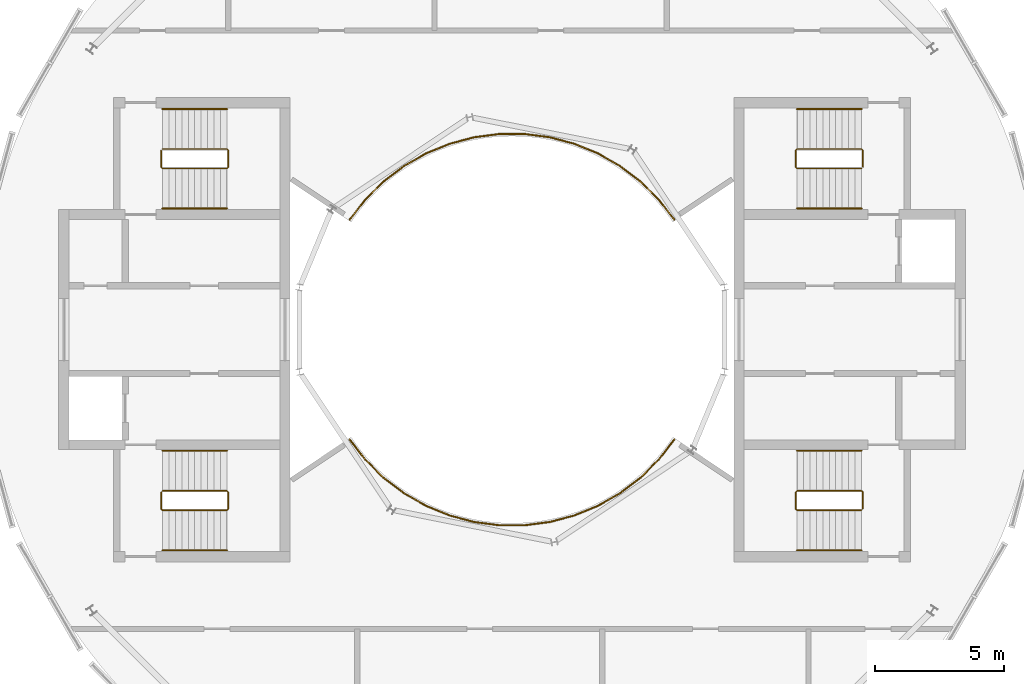
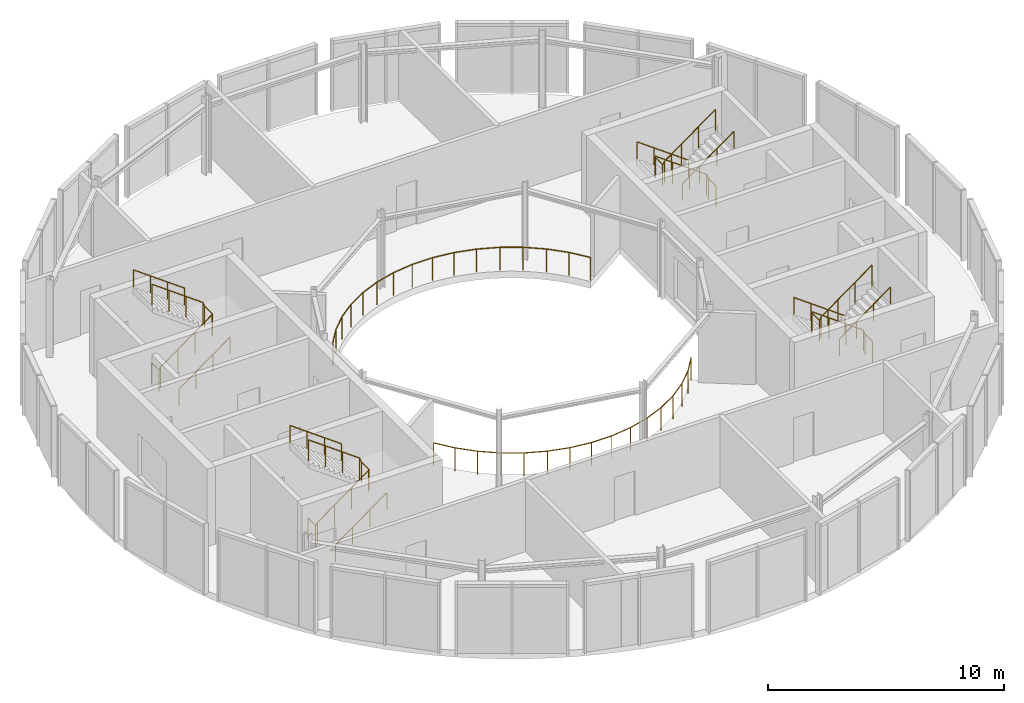
# One storey, part 12 of 12: 14 railings.
"""IFC4 building model written with IfcOpenShell, lengths in metres."""

from ifc_helpers import new_model, si_unit, direction, frame, origin, origin_2d, place, context, subcontext, project, spatial, circle, extrude, material, type_object, element, save


model = new_model("IFC4")

# Units and contexts
model_context = context("Model", 3, precision=1e-05, world=origin(), true_north=direction((0.0, 1.0)))
body_context = subcontext(model_context, "Body", "Model", "MODEL_VIEW")
ifc_project = project(units=[si_unit("LENGTHUNIT", "METRE"), si_unit("AREAUNIT", "SQUARE_METRE"), si_unit("VOLUMEUNIT", "CUBIC_METRE"), si_unit("PLANEANGLEUNIT", "RADIAN"), si_unit("MASSUNIT", "GRAM", prefix="KILO")], contexts=[model_context])

# Site, building, storey
site_placement = place(None, origin())
site = spatial("IfcSite", under=ifc_project, at=site_placement, CompositionType="ELEMENT")
building_placement = place(site_placement, origin())
building = spatial("IfcBuilding", under=site, at=building_placement, Name="Maasbend Ring Residences", CompositionType="ELEMENT")
storey_placement = place(building_placement, frame((0.0, 0.0, 265.5)))
storey = spatial("IfcBuildingStorey", under=building, at=storey_placement, Name="L76", CompositionType="ELEMENT", Elevation=265.5)

# Railings
ifc_material_1 = material(Name="Stainless steel 316 and glass", Category="steel")
railing_type_1 = type_object("IfcRailingType", Name="RL-GUARD", PredefinedType="GUARDRAIL", material=ifc_material_1)
railing_1_placement = place(storey_placement, frame((6.296875, 4.25537109375, 0.0)))
element("IfcRailing", 1, at=railing_1_placement, inside=storey, type_object=railing_type_1, Name="Well guard 1", PredefinedType="GUARDRAIL", context=body_context, shape_type="SweptSolid", body=[
    extrude(circle(Radius=0.02490234375, at=origin_2d()), frame((0.0, 0.0, 1.1748046875), z_axis=(-0.61260637429, 0.790388151593, 0.0), x_axis=(-0.790388151593, -0.61260637429, 0.0)), (0.0, 0.0, 1.0), 0.98876953125),
    extrude(circle(Radius=0.02490234375, at=origin_2d()), frame((-0.605712890625, 0.781494140625, 1.1748046875), z_axis=(-0.710063286319, 0.704137862511, 0.0), x_axis=(-0.704137862511, -0.710063286319, 0.0)), (0.0, 0.0, 1.0), 0.98876953125),
    extrude(circle(Radius=0.02490234375, at=origin_2d()), frame((-1.307861328125, 1.477783203125, 1.1748046875), z_axis=(-0.795414718638, 0.606065528944, 0.0), x_axis=(-0.606065528944, -0.795414718638, 0.0)), (0.0, 0.0, 1.0), 0.989013671875),
    extrude(circle(Radius=0.02490234375, at=origin_2d()), frame((-2.094482421875, 2.0771484375, 1.1748046875), z_axis=(-0.867436652983, 0.497547638987, 0.0), x_axis=(-0.497547638987, -0.867436652983, 0.0)), (0.0, 0.0, 1.0), 0.98876953125),
    extrude(circle(Radius=0.02490234375, at=origin_2d()), frame((-2.9521484375, 2.569091796875, 1.1748046875), z_axis=(-0.924683211941, 0.380737386599, 0.0), x_axis=(-0.380737386599, -0.924683211941, 0.0)), (0.0, 0.0, 1.0), 0.98876953125),
    extrude(circle(Radius=0.02490234375, at=origin_2d()), frame((-3.866455078125, 2.945556640625, 1.1748046875), z_axis=(-0.966279997956, 0.257493622348, 0.0), x_axis=(-0.257493622348, -0.966279997956, 0.0)), (0.0, 0.0, 1.0), 0.989013671875),
    extrude(circle(Radius=0.02490234375, at=origin_2d()), frame((-4.822021484375, 3.2001953125, 1.1748046875), z_axis=(-0.991531433773, 0.129866915878, 0.0), x_axis=(-0.129866915878, -0.991531433773, 0.0)), (0.0, 0.0, 1.0), 0.98876953125),
    extrude(circle(Radius=0.02490234375, at=origin_2d()), frame((-5.802490234375, 3.32861328125, 1.1748046875), z_axis=(-1.0, 0.0, 0.0), x_axis=(0.0, -1.0, 0.0)), (0.0, 0.0, 1.0), 0.98876953125),
    extrude(circle(Radius=0.02490234375, at=origin_2d()), frame((-6.791259765625, 3.32861328125, 1.1748046875), z_axis=(-0.991531433773, -0.129866915878, 0.0), x_axis=(0.129866915878, -0.991531433773, 0.0)), (0.0, 0.0, 1.0), 0.98876953125),
    extrude(circle(Radius=0.02490234375, at=origin_2d()), frame((-7.771728515625, 3.2001953125, 1.1748046875), z_axis=(-0.966279997956, -0.257493622348, 0.0), x_axis=(0.257493622348, -0.966279997956, 0.0)), (0.0, 0.0, 1.0), 0.989013671875),
    extrude(circle(Radius=0.02490234375, at=origin_2d()), frame((-8.727294921875, 2.945556640625, 1.1748046875), z_axis=(-0.924683211941, -0.380737386599, 0.0), x_axis=(0.380737386599, -0.924683211941, 0.0)), (0.0, 0.0, 1.0), 0.98876953125),
    extrude(circle(Radius=0.02490234375, at=origin_2d()), frame((-9.6416015625, 2.569091796875, 1.1748046875), z_axis=(-0.867436652983, -0.497547638987, 0.0), x_axis=(0.497547638987, -0.867436652983, 0.0)), (0.0, 0.0, 1.0), 0.98876953125),
    extrude(circle(Radius=0.02490234375, at=origin_2d()), frame((-10.499267578125, 2.0771484375, 1.1748046875), z_axis=(-0.795414718638, -0.606065528944, 0.0), x_axis=(0.606065528944, -0.795414718638, 0.0)), (0.0, 0.0, 1.0), 0.989013671875),
    extrude(circle(Radius=0.02490234375, at=origin_2d()), frame((-11.285888671875, 1.477783203125, 1.1748046875), z_axis=(-0.710063286319, -0.704137862511, 0.0), x_axis=(0.704137862511, -0.710063286319, 0.0)), (0.0, 0.0, 1.0), 0.98876953125),
    extrude(circle(Radius=0.02490234375, at=origin_2d()), frame((-11.988037109375, 0.781494140625, 1.1748046875), z_axis=(-0.61260637429, -0.790388151593, 0.0), x_axis=(0.790388151593, -0.61260637429, 0.0)), (0.0, 0.0, 1.0), 0.98876953125),
    extrude(circle(Radius=0.02001953125, at=origin_2d()), origin(), (0.0, 0.0, 1.0), 1.14990234375),
    extrude(circle(Radius=0.02001953125, at=origin_2d()), frame((-0.605712890625, 0.781494140625, 0.0)), (0.0, 0.0, 1.0), 1.14990234375),
    extrude(circle(Radius=0.02001953125, at=origin_2d()), frame((-1.307861328125, 1.477783203125, 0.0)), (0.0, 0.0, 1.0), 1.14990234375),
    extrude(circle(Radius=0.02001953125, at=origin_2d()), frame((-2.094482421875, 2.0771484375, 0.0)), (0.0, 0.0, 1.0), 1.14990234375),
    extrude(circle(Radius=0.02001953125, at=origin_2d()), frame((-2.9521484375, 2.569091796875, 0.0)), (0.0, 0.0, 1.0), 1.14990234375),
    extrude(circle(Radius=0.02001953125, at=origin_2d()), frame((-3.866455078125, 2.945556640625, 0.0)), (0.0, 0.0, 1.0), 1.14990234375),
    extrude(circle(Radius=0.02001953125, at=origin_2d()), frame((-4.822021484375, 3.2001953125, 0.0)), (0.0, 0.0, 1.0), 1.14990234375),
    extrude(circle(Radius=0.02001953125, at=origin_2d()), frame((-5.802490234375, 3.32861328125, 0.0)), (0.0, 0.0, 1.0), 1.14990234375),
    extrude(circle(Radius=0.02001953125, at=origin_2d()), frame((-6.791259765625, 3.32861328125, 0.0)), (0.0, 0.0, 1.0), 1.14990234375),
    extrude(circle(Radius=0.02001953125, at=origin_2d()), frame((-7.771728515625, 3.2001953125, 0.0)), (0.0, 0.0, 1.0), 1.14990234375),
    extrude(circle(Radius=0.02001953125, at=origin_2d()), frame((-8.727294921875, 2.945556640625, 0.0)), (0.0, 0.0, 1.0), 1.14990234375),
    extrude(circle(Radius=0.02001953125, at=origin_2d()), frame((-9.6416015625, 2.569091796875, 0.0)), (0.0, 0.0, 1.0), 1.14990234375),
    extrude(circle(Radius=0.02001953125, at=origin_2d()), frame((-10.499267578125, 2.0771484375, 0.0)), (0.0, 0.0, 1.0), 1.14990234375),
    extrude(circle(Radius=0.02001953125, at=origin_2d()), frame((-11.285888671875, 1.477783203125, 0.0)), (0.0, 0.0, 1.0), 1.14990234375),
    extrude(circle(Radius=0.02001953125, at=origin_2d()), frame((-11.988037109375, 0.781494140625, 0.0)), (0.0, 0.0, 1.0), 1.14990234375),
    extrude(circle(Radius=0.02001953125, at=origin_2d()), frame((-12.59375, 0.0, 0.0)), (0.0, 0.0, 1.0), 1.14990234375),
])
railing_2_placement = place(storey_placement, frame((-6.296875, -4.25537109375, 0.0)))
element("IfcRailing", 2, at=railing_2_placement, inside=storey, type_object=railing_type_1, Name="Well guard 2", PredefinedType="GUARDRAIL", context=body_context, shape_type="SweptSolid", body=[
    extrude(circle(Radius=0.02490234375, at=origin_2d()), frame((0.0, 0.0, 1.1748046875), z_axis=(0.61260637429, -0.790388151593, 0.0), x_axis=(0.790388151593, 0.61260637429, 0.0)), (0.0, 0.0, 1.0), 0.98876953125),
    extrude(circle(Radius=0.02490234375, at=origin_2d()), frame((0.605712890625, -0.781494140625, 1.1748046875), z_axis=(0.710063286319, -0.704137862511, 0.0), x_axis=(0.704137862511, 0.710063286319, 0.0)), (0.0, 0.0, 1.0), 0.98876953125),
    extrude(circle(Radius=0.02490234375, at=origin_2d()), frame((1.307861328125, -1.477783203125, 1.1748046875), z_axis=(0.795414718638, -0.606065528944, 0.0), x_axis=(0.606065528944, 0.795414718638, 0.0)), (0.0, 0.0, 1.0), 0.989013671875),
    extrude(circle(Radius=0.02490234375, at=origin_2d()), frame((2.094482421875, -2.0771484375, 1.1748046875), z_axis=(0.867436652983, -0.497547638987, 0.0), x_axis=(0.497547638987, 0.867436652983, 0.0)), (0.0, 0.0, 1.0), 0.98876953125),
    extrude(circle(Radius=0.02490234375, at=origin_2d()), frame((2.9521484375, -2.569091796875, 1.1748046875), z_axis=(0.924683211941, -0.380737386599, 0.0), x_axis=(0.380737386599, 0.924683211941, 0.0)), (0.0, 0.0, 1.0), 0.98876953125),
    extrude(circle(Radius=0.02490234375, at=origin_2d()), frame((3.866455078125, -2.945556640625, 1.1748046875), z_axis=(0.966279997956, -0.257493622348, 0.0), x_axis=(0.257493622348, 0.966279997956, 0.0)), (0.0, 0.0, 1.0), 0.989013671875),
    extrude(circle(Radius=0.02490234375, at=origin_2d()), frame((4.822021484375, -3.2001953125, 1.1748046875), z_axis=(0.991531433773, -0.129866915878, 0.0), x_axis=(0.129866915878, 0.991531433773, 0.0)), (0.0, 0.0, 1.0), 0.98876953125),
    extrude(circle(Radius=0.02490234375, at=origin_2d()), frame((5.802490234375, -3.32861328125, 1.1748046875), z_axis=(1.0, 0.0, 0.0), x_axis=(0.0, 1.0, 0.0)), (0.0, 0.0, 1.0), 0.98876953125),
    extrude(circle(Radius=0.02490234375, at=origin_2d()), frame((6.791259765625, -3.32861328125, 1.1748046875), z_axis=(0.991531433773, 0.129866915878, 0.0), x_axis=(-0.129866915878, 0.991531433773, 0.0)), (0.0, 0.0, 1.0), 0.98876953125),
    extrude(circle(Radius=0.02490234375, at=origin_2d()), frame((7.771728515625, -3.2001953125, 1.1748046875), z_axis=(0.966279997956, 0.257493622348, 0.0), x_axis=(-0.257493622348, 0.966279997956, 0.0)), (0.0, 0.0, 1.0), 0.989013671875),
    extrude(circle(Radius=0.02490234375, at=origin_2d()), frame((8.727294921875, -2.945556640625, 1.1748046875), z_axis=(0.924683211941, 0.380737386599, 0.0), x_axis=(-0.380737386599, 0.924683211941, 0.0)), (0.0, 0.0, 1.0), 0.98876953125),
    extrude(circle(Radius=0.02490234375, at=origin_2d()), frame((9.6416015625, -2.569091796875, 1.1748046875), z_axis=(0.867436652983, 0.497547638987, 0.0), x_axis=(-0.497547638987, 0.867436652983, 0.0)), (0.0, 0.0, 1.0), 0.98876953125),
    extrude(circle(Radius=0.02490234375, at=origin_2d()), frame((10.499267578125, -2.0771484375, 1.1748046875), z_axis=(0.795414718638, 0.606065528944, 0.0), x_axis=(-0.606065528944, 0.795414718638, 0.0)), (0.0, 0.0, 1.0), 0.989013671875),
    extrude(circle(Radius=0.02490234375, at=origin_2d()), frame((11.285888671875, -1.477783203125, 1.1748046875), z_axis=(0.710063286319, 0.704137862511, 0.0), x_axis=(-0.704137862511, 0.710063286319, 0.0)), (0.0, 0.0, 1.0), 0.98876953125),
    extrude(circle(Radius=0.02490234375, at=origin_2d()), frame((11.988037109375, -0.781494140625, 1.1748046875), z_axis=(0.61260637429, 0.790388151593, 0.0), x_axis=(-0.790388151593, 0.61260637429, 0.0)), (0.0, 0.0, 1.0), 0.98876953125),
    extrude(circle(Radius=0.02001953125, at=origin_2d()), origin(), (0.0, 0.0, 1.0), 1.14990234375),
    extrude(circle(Radius=0.02001953125, at=origin_2d()), frame((0.605712890625, -0.781494140625, 0.0)), (0.0, 0.0, 1.0), 1.14990234375),
    extrude(circle(Radius=0.02001953125, at=origin_2d()), frame((1.307861328125, -1.477783203125, 0.0)), (0.0, 0.0, 1.0), 1.14990234375),
    extrude(circle(Radius=0.02001953125, at=origin_2d()), frame((2.094482421875, -2.0771484375, 0.0)), (0.0, 0.0, 1.0), 1.14990234375),
    extrude(circle(Radius=0.02001953125, at=origin_2d()), frame((2.9521484375, -2.569091796875, 0.0)), (0.0, 0.0, 1.0), 1.14990234375),
    extrude(circle(Radius=0.02001953125, at=origin_2d()), frame((3.866455078125, -2.945556640625, 0.0)), (0.0, 0.0, 1.0), 1.14990234375),
    extrude(circle(Radius=0.02001953125, at=origin_2d()), frame((4.822021484375, -3.2001953125, 0.0)), (0.0, 0.0, 1.0), 1.14990234375),
    extrude(circle(Radius=0.02001953125, at=origin_2d()), frame((5.802490234375, -3.32861328125, 0.0)), (0.0, 0.0, 1.0), 1.14990234375),
    extrude(circle(Radius=0.02001953125, at=origin_2d()), frame((6.791259765625, -3.32861328125, 0.0)), (0.0, 0.0, 1.0), 1.14990234375),
    extrude(circle(Radius=0.02001953125, at=origin_2d()), frame((7.771728515625, -3.2001953125, 0.0)), (0.0, 0.0, 1.0), 1.14990234375),
    extrude(circle(Radius=0.02001953125, at=origin_2d()), frame((8.727294921875, -2.945556640625, 0.0)), (0.0, 0.0, 1.0), 1.14990234375),
    extrude(circle(Radius=0.02001953125, at=origin_2d()), frame((9.6416015625, -2.569091796875, 0.0)), (0.0, 0.0, 1.0), 1.14990234375),
    extrude(circle(Radius=0.02001953125, at=origin_2d()), frame((10.499267578125, -2.0771484375, 0.0)), (0.0, 0.0, 1.0), 1.14990234375),
    extrude(circle(Radius=0.02001953125, at=origin_2d()), frame((11.285888671875, -1.477783203125, 0.0)), (0.0, 0.0, 1.0), 1.14990234375),
    extrude(circle(Radius=0.02001953125, at=origin_2d()), frame((11.988037109375, -0.781494140625, 0.0)), (0.0, 0.0, 1.0), 1.14990234375),
    extrude(circle(Radius=0.02001953125, at=origin_2d()), frame((12.59375, 0.0, 0.0)), (0.0, 0.0, 1.0), 1.14990234375),
])
ifc_material_2 = material(Name="Stainless steel 316", Category="steel")
railing_type_2 = type_object("IfcRailingType", Name="STAIR GUARD 1100", PredefinedType="GUARDRAIL", material=ifc_material_2)
railing_3_placement = place(storey_placement, frame((13.60009765625, 6.300048828125, 0.0)))
element("IfcRailing", 3, at=railing_3_placement, inside=storey, type_object=railing_type_2, Name="L76 ST-E1 stair guard 1", PredefinedType="GUARDRAIL", context=body_context, shape_type="SweptSolid", body=[
    extrude(circle(Radius=0.02392578125, at=origin_2d()), frame((0.0, 0.0, 1.076171875), z_axis=(0.0, 1.0, 0.0), x_axis=(-1.0, 0.0, 0.0)), (0.0, 0.0, 1.0), 0.64990234375),
    extrude(circle(Radius=0.02392578125, at=origin_2d()), frame((0.0, 0.64990234375, 1.076171875), z_axis=(-0.256435381639, 0.256435381639, 0.931923704005), x_axis=(-0.707106781187, -0.707106781187, 0.0)), (0.0, 0.0, 1.0), 0.195068359375),
    extrude(circle(Radius=0.02392578125, at=origin_2d()), frame((-0.050048828125, 0.699951171875, 1.2578125), z_axis=(-0.808746330122, 0.0, 0.588157609416), x_axis=(0.0, -1.0, 0.0)), (0.0, 0.0, 1.0), 3.09130859375),
    extrude(circle(Radius=0.02392578125, at=origin_2d()), frame((-2.550048828125, 0.699951171875, 3.076171875), z_axis=(-0.707106781187, -0.707106781187, 0.0), x_axis=(0.707106781187, -0.707106781187, 0.0)), (0.0, 0.0, 1.0), 0.07080078125),
    extrude(circle(Radius=0.02392578125, at=origin_2d()), frame((-2.60009765625, 0.64990234375, 3.076171875), z_axis=(0.0, -1.0, 0.0), x_axis=(1.0, 0.0, 0.0)), (0.0, 0.0, 1.0), 0.64990234375),
    extrude(circle(Radius=0.02392578125, at=origin_2d()), frame((-2.60009765625, 0.0, 3.076171875), z_axis=(0.256435381639, -0.256435381639, 0.931923704005), x_axis=(0.707106781187, 0.707106781187, 0.0)), (0.0, 0.0, 1.0), 0.195068359375),
    extrude(circle(Radius=0.02392578125, at=origin_2d()), frame((-2.550048828125, -0.050048828125, 3.2578125), z_axis=(0.808746330122, 0.0, 0.588157609416), x_axis=(0.0, 1.0, 0.0)), (0.0, 0.0, 1.0), 3.09130859375),
    extrude(circle(Radius=0.02099609375, at=origin_2d()), origin(), (0.0, 0.0, 1.0), 1.052001953125),
    extrude(circle(Radius=0.02099609375, at=origin_2d()), frame((0.0, 0.64990234375, 0.0)), (0.0, 0.0, 1.0), 1.052001953125),
    extrude(circle(Radius=0.02099609375, at=origin_2d()), frame((-0.050048828125, 0.699951171875, 0.181884765625)), (0.0, 0.0, 1.0), 1.052001953125),
    extrude(circle(Radius=0.02099609375, at=origin_2d()), frame((-0.88330078125, 0.699951171875, 0.787841796875)), (0.0, 0.0, 1.0), 1.052001953125),
    extrude(circle(Radius=0.02099609375, at=origin_2d()), frame((-1.716796875, 0.699951171875, 1.39404296875)), (0.0, 0.0, 1.0), 1.052001953125),
    extrude(circle(Radius=0.02099609375, at=origin_2d()), frame((-2.550048828125, 0.699951171875, 2.0)), (0.0, 0.0, 1.0), 1.052001953125),
    extrude(circle(Radius=0.02099609375, at=origin_2d()), frame((-2.60009765625, 0.64990234375, 2.0)), (0.0, 0.0, 1.0), 1.052001953125),
    extrude(circle(Radius=0.02099609375, at=origin_2d()), frame((-2.60009765625, 0.0, 2.0)), (0.0, 0.0, 1.0), 1.052001953125),
    extrude(circle(Radius=0.02099609375, at=origin_2d()), frame((-2.550048828125, -0.050048828125, 2.181884765625)), (0.0, 0.0, 1.0), 1.052001953125),
    extrude(circle(Radius=0.02099609375, at=origin_2d()), frame((-1.716796875, -0.050048828125, 2.787841796875)), (0.0, 0.0, 1.0), 1.052001953125),
    extrude(circle(Radius=0.02099609375, at=origin_2d()), frame((-0.88330078125, -0.050048828125, 3.39404296875)), (0.0, 0.0, 1.0), 1.052001953125),
    extrude(circle(Radius=0.02099609375, at=origin_2d()), frame((-0.050048828125, -0.050048828125, 4.0)), (0.0, 0.0, 1.0), 1.052001953125),
])
railing_4_placement = place(storey_placement, frame((13.60009765625, -6.949951171875, 0.0)))
element("IfcRailing", 4, at=railing_4_placement, inside=storey, type_object=railing_type_2, Name="L76 ST-E2 stair guard 1", PredefinedType="GUARDRAIL", context=body_context, shape_type="SweptSolid", body=[
    extrude(circle(Radius=0.02392578125, at=origin_2d()), frame((0.0, 0.0, 1.076171875), z_axis=(0.0, 1.0, 0.0), x_axis=(-1.0, 0.0, 0.0)), (0.0, 0.0, 1.0), 0.64990234375),
    extrude(circle(Radius=0.02392578125, at=origin_2d()), frame((0.0, 0.64990234375, 1.076171875), z_axis=(-0.256435381639, 0.256435381639, 0.931923704005), x_axis=(-0.707106781187, -0.707106781187, 0.0)), (0.0, 0.0, 1.0), 0.195068359375),
    extrude(circle(Radius=0.02392578125, at=origin_2d()), frame((-0.050048828125, 0.699951171875, 1.2578125), z_axis=(-0.808746330122, 0.0, 0.588157609416), x_axis=(0.0, -1.0, 0.0)), (0.0, 0.0, 1.0), 3.09130859375),
    extrude(circle(Radius=0.02392578125, at=origin_2d()), frame((-2.550048828125, 0.699951171875, 3.076171875), z_axis=(-0.707106781187, -0.707106781187, 0.0), x_axis=(0.707106781187, -0.707106781187, 0.0)), (0.0, 0.0, 1.0), 0.07080078125),
    extrude(circle(Radius=0.02392578125, at=origin_2d()), frame((-2.60009765625, 0.64990234375, 3.076171875), z_axis=(0.0, -1.0, 0.0), x_axis=(1.0, 0.0, 0.0)), (0.0, 0.0, 1.0), 0.64990234375),
    extrude(circle(Radius=0.02392578125, at=origin_2d()), frame((-2.60009765625, 0.0, 3.076171875), z_axis=(0.256435381639, -0.256435381639, 0.931923704005), x_axis=(0.707106781187, 0.707106781187, 0.0)), (0.0, 0.0, 1.0), 0.195068359375),
    extrude(circle(Radius=0.02392578125, at=origin_2d()), frame((-2.550048828125, -0.050048828125, 3.2578125), z_axis=(0.808746330122, 0.0, 0.588157609416), x_axis=(0.0, 1.0, 0.0)), (0.0, 0.0, 1.0), 3.09130859375),
    extrude(circle(Radius=0.02099609375, at=origin_2d()), origin(), (0.0, 0.0, 1.0), 1.052001953125),
    extrude(circle(Radius=0.02099609375, at=origin_2d()), frame((0.0, 0.64990234375, 0.0)), (0.0, 0.0, 1.0), 1.052001953125),
    extrude(circle(Radius=0.02099609375, at=origin_2d()), frame((-0.050048828125, 0.699951171875, 0.181884765625)), (0.0, 0.0, 1.0), 1.052001953125),
    extrude(circle(Radius=0.02099609375, at=origin_2d()), frame((-0.88330078125, 0.699951171875, 0.787841796875)), (0.0, 0.0, 1.0), 1.052001953125),
    extrude(circle(Radius=0.02099609375, at=origin_2d()), frame((-1.716796875, 0.699951171875, 1.39404296875)), (0.0, 0.0, 1.0), 1.052001953125),
    extrude(circle(Radius=0.02099609375, at=origin_2d()), frame((-2.550048828125, 0.699951171875, 2.0)), (0.0, 0.0, 1.0), 1.052001953125),
    extrude(circle(Radius=0.02099609375, at=origin_2d()), frame((-2.60009765625, 0.64990234375, 2.0)), (0.0, 0.0, 1.0), 1.052001953125),
    extrude(circle(Radius=0.02099609375, at=origin_2d()), frame((-2.60009765625, 0.0, 2.0)), (0.0, 0.0, 1.0), 1.052001953125),
    extrude(circle(Radius=0.02099609375, at=origin_2d()), frame((-2.550048828125, -0.050048828125, 2.181884765625)), (0.0, 0.0, 1.0), 1.052001953125),
    extrude(circle(Radius=0.02099609375, at=origin_2d()), frame((-1.716796875, -0.050048828125, 2.787841796875)), (0.0, 0.0, 1.0), 1.052001953125),
    extrude(circle(Radius=0.02099609375, at=origin_2d()), frame((-0.88330078125, -0.050048828125, 3.39404296875)), (0.0, 0.0, 1.0), 1.052001953125),
    extrude(circle(Radius=0.02099609375, at=origin_2d()), frame((-0.050048828125, -0.050048828125, 4.0)), (0.0, 0.0, 1.0), 1.052001953125),
])
railing_5_placement = place(storey_placement, frame((-13.60009765625, -6.300048828125, 0.0)))
element("IfcRailing", 5, at=railing_5_placement, inside=storey, type_object=railing_type_2, Name="L76 ST-W1 stair guard 1", PredefinedType="GUARDRAIL", context=body_context, shape_type="SweptSolid", body=[
    extrude(circle(Radius=0.02392578125, at=origin_2d()), frame((0.0, 0.0, 1.076171875), z_axis=(0.0, -1.0, 0.0), x_axis=(1.0, 0.0, 0.0)), (0.0, 0.0, 1.0), 0.64990234375),
    extrude(circle(Radius=0.02392578125, at=origin_2d()), frame((0.0, -0.64990234375, 1.076171875), z_axis=(0.256435381639, -0.256435381639, 0.931923704005), x_axis=(0.707106781187, 0.707106781187, 0.0)), (0.0, 0.0, 1.0), 0.195068359375),
    extrude(circle(Radius=0.02392578125, at=origin_2d()), frame((0.050048828125, -0.699951171875, 1.2578125), z_axis=(0.808746330122, 0.0, 0.588157609416), x_axis=(0.0, 1.0, 0.0)), (0.0, 0.0, 1.0), 3.09130859375),
    extrude(circle(Radius=0.02392578125, at=origin_2d()), frame((2.550048828125, -0.699951171875, 3.076171875), z_axis=(0.707106781187, 0.707106781187, 0.0), x_axis=(-0.707106781187, 0.707106781187, 0.0)), (0.0, 0.0, 1.0), 0.07080078125),
    extrude(circle(Radius=0.02392578125, at=origin_2d()), frame((2.60009765625, -0.64990234375, 3.076171875), z_axis=(0.0, 1.0, 0.0), x_axis=(-1.0, 0.0, 0.0)), (0.0, 0.0, 1.0), 0.64990234375),
    extrude(circle(Radius=0.02392578125, at=origin_2d()), frame((2.60009765625, 0.0, 3.076171875), z_axis=(-0.256435381639, 0.256435381639, 0.931923704005), x_axis=(-0.707106781187, -0.707106781187, 0.0)), (0.0, 0.0, 1.0), 0.195068359375),
    extrude(circle(Radius=0.02392578125, at=origin_2d()), frame((2.550048828125, 0.050048828125, 3.2578125), z_axis=(-0.808746330122, 0.0, 0.588157609416), x_axis=(0.0, -1.0, 0.0)), (0.0, 0.0, 1.0), 3.09130859375),
    extrude(circle(Radius=0.02099609375, at=origin_2d()), origin(), (0.0, 0.0, 1.0), 1.052001953125),
    extrude(circle(Radius=0.02099609375, at=origin_2d()), frame((0.0, -0.64990234375, 0.0)), (0.0, 0.0, 1.0), 1.052001953125),
    extrude(circle(Radius=0.02099609375, at=origin_2d()), frame((0.050048828125, -0.699951171875, 0.181884765625)), (0.0, 0.0, 1.0), 1.052001953125),
    extrude(circle(Radius=0.02099609375, at=origin_2d()), frame((0.88330078125, -0.699951171875, 0.787841796875)), (0.0, 0.0, 1.0), 1.052001953125),
    extrude(circle(Radius=0.02099609375, at=origin_2d()), frame((1.716796875, -0.699951171875, 1.39404296875)), (0.0, 0.0, 1.0), 1.052001953125),
    extrude(circle(Radius=0.02099609375, at=origin_2d()), frame((2.550048828125, -0.699951171875, 2.0)), (0.0, 0.0, 1.0), 1.052001953125),
    extrude(circle(Radius=0.02099609375, at=origin_2d()), frame((2.60009765625, -0.64990234375, 2.0)), (0.0, 0.0, 1.0), 1.052001953125),
    extrude(circle(Radius=0.02099609375, at=origin_2d()), frame((2.60009765625, 0.0, 2.0)), (0.0, 0.0, 1.0), 1.052001953125),
    extrude(circle(Radius=0.02099609375, at=origin_2d()), frame((2.550048828125, 0.050048828125, 2.181884765625)), (0.0, 0.0, 1.0), 1.052001953125),
    extrude(circle(Radius=0.02099609375, at=origin_2d()), frame((1.716796875, 0.050048828125, 2.787841796875)), (0.0, 0.0, 1.0), 1.052001953125),
    extrude(circle(Radius=0.02099609375, at=origin_2d()), frame((0.88330078125, 0.050048828125, 3.39404296875)), (0.0, 0.0, 1.0), 1.052001953125),
    extrude(circle(Radius=0.02099609375, at=origin_2d()), frame((0.050048828125, 0.050048828125, 4.0)), (0.0, 0.0, 1.0), 1.052001953125),
])
railing_6_placement = place(storey_placement, frame((-13.60009765625, 6.949951171875, 0.0)))
element("IfcRailing", 6, at=railing_6_placement, inside=storey, type_object=railing_type_2, Name="L76 ST-W2 stair guard 1", PredefinedType="GUARDRAIL", context=body_context, shape_type="SweptSolid", body=[
    extrude(circle(Radius=0.02392578125, at=origin_2d()), frame((0.0, 0.0, 1.076171875), z_axis=(0.0, -1.0, 0.0), x_axis=(1.0, 0.0, 0.0)), (0.0, 0.0, 1.0), 0.64990234375),
    extrude(circle(Radius=0.02392578125, at=origin_2d()), frame((0.0, -0.64990234375, 1.076171875), z_axis=(0.256435381639, -0.256435381639, 0.931923704005), x_axis=(0.707106781187, 0.707106781187, 0.0)), (0.0, 0.0, 1.0), 0.195068359375),
    extrude(circle(Radius=0.02392578125, at=origin_2d()), frame((0.050048828125, -0.699951171875, 1.2578125), z_axis=(0.808746330122, 0.0, 0.588157609416), x_axis=(0.0, 1.0, 0.0)), (0.0, 0.0, 1.0), 3.09130859375),
    extrude(circle(Radius=0.02392578125, at=origin_2d()), frame((2.550048828125, -0.699951171875, 3.076171875), z_axis=(0.707106781187, 0.707106781187, 0.0), x_axis=(-0.707106781187, 0.707106781187, 0.0)), (0.0, 0.0, 1.0), 0.07080078125),
    extrude(circle(Radius=0.02392578125, at=origin_2d()), frame((2.60009765625, -0.64990234375, 3.076171875), z_axis=(0.0, 1.0, 0.0), x_axis=(-1.0, 0.0, 0.0)), (0.0, 0.0, 1.0), 0.64990234375),
    extrude(circle(Radius=0.02392578125, at=origin_2d()), frame((2.60009765625, 0.0, 3.076171875), z_axis=(-0.256435381639, 0.256435381639, 0.931923704005), x_axis=(-0.707106781187, -0.707106781187, 0.0)), (0.0, 0.0, 1.0), 0.195068359375),
    extrude(circle(Radius=0.02392578125, at=origin_2d()), frame((2.550048828125, 0.050048828125, 3.2578125), z_axis=(-0.808746330122, 0.0, 0.588157609416), x_axis=(0.0, -1.0, 0.0)), (0.0, 0.0, 1.0), 3.09130859375),
    extrude(circle(Radius=0.02099609375, at=origin_2d()), origin(), (0.0, 0.0, 1.0), 1.052001953125),
    extrude(circle(Radius=0.02099609375, at=origin_2d()), frame((0.0, -0.64990234375, 0.0)), (0.0, 0.0, 1.0), 1.052001953125),
    extrude(circle(Radius=0.02099609375, at=origin_2d()), frame((0.050048828125, -0.699951171875, 0.181884765625)), (0.0, 0.0, 1.0), 1.052001953125),
    extrude(circle(Radius=0.02099609375, at=origin_2d()), frame((0.88330078125, -0.699951171875, 0.787841796875)), (0.0, 0.0, 1.0), 1.052001953125),
    extrude(circle(Radius=0.02099609375, at=origin_2d()), frame((1.716796875, -0.699951171875, 1.39404296875)), (0.0, 0.0, 1.0), 1.052001953125),
    extrude(circle(Radius=0.02099609375, at=origin_2d()), frame((2.550048828125, -0.699951171875, 2.0)), (0.0, 0.0, 1.0), 1.052001953125),
    extrude(circle(Radius=0.02099609375, at=origin_2d()), frame((2.60009765625, -0.64990234375, 2.0)), (0.0, 0.0, 1.0), 1.052001953125),
    extrude(circle(Radius=0.02099609375, at=origin_2d()), frame((2.60009765625, 0.0, 2.0)), (0.0, 0.0, 1.0), 1.052001953125),
    extrude(circle(Radius=0.02099609375, at=origin_2d()), frame((2.550048828125, 0.050048828125, 2.181884765625)), (0.0, 0.0, 1.0), 1.052001953125),
    extrude(circle(Radius=0.02099609375, at=origin_2d()), frame((1.716796875, 0.050048828125, 2.787841796875)), (0.0, 0.0, 1.0), 1.052001953125),
    extrude(circle(Radius=0.02099609375, at=origin_2d()), frame((0.88330078125, 0.050048828125, 3.39404296875)), (0.0, 0.0, 1.0), 1.052001953125),
    extrude(circle(Radius=0.02099609375, at=origin_2d()), frame((0.050048828125, 0.050048828125, 4.0)), (0.0, 0.0, 1.0), 1.052001953125),
])
ifc_material_3 = material(Name="Stainless steel 316", Category="steel")
railing_type_3 = type_object("IfcRailingType", Name="STAIR HANDRAIL 900", PredefinedType="HANDRAIL", material=ifc_material_3)
railing_7_placement = place(storey_placement, frame((13.550048828125, 8.550048828125, 0.181884765625)))
element("IfcRailing", 7, at=railing_7_placement, inside=storey, type_object=railing_type_3, Name="L76 ST-E1 stair handrail 1", PredefinedType="HANDRAIL", context=body_context, shape_type="SweptSolid", body=[
    extrude(circle(Radius=0.02392578125, at=origin_2d()), frame((0.0, 0.0, 0.8759765625), z_axis=(-0.808746330122, 0.0, 0.588157609416), x_axis=(0.0, -1.0, 0.0)), (0.0, 0.0, 1.0), 3.09130859375),
    extrude(circle(Radius=0.02099609375, at=origin_2d()), origin(), (0.0, 0.0, 1.0), 0.851806640625),
    extrude(circle(Radius=0.02099609375, at=origin_2d()), frame((-0.833251953125, 0.0, 0.60595703125)), (0.0, 0.0, 1.0), 0.851806640625),
    extrude(circle(Radius=0.02099609375, at=origin_2d()), frame((-1.666748046875, 0.0, 1.212158203125)), (0.0, 0.0, 1.0), 0.851806640625),
    extrude(circle(Radius=0.02099609375, at=origin_2d()), frame((-2.5, 0.0, 1.818115234375)), (0.0, 0.0, 1.0), 0.851806640625),
])
railing_8_placement = place(storey_placement, frame((11.050048828125, 4.699951171875, 2.181884765625)))
element("IfcRailing", 8, at=railing_8_placement, inside=storey, type_object=railing_type_3, Name="L76 ST-E1 stair handrail 2", PredefinedType="HANDRAIL", context=body_context, shape_type="SweptSolid", body=[
    extrude(circle(Radius=0.02392578125, at=origin_2d()), frame((0.0, 0.0, 0.8759765625), z_axis=(0.808746330122, 0.0, 0.588157609416), x_axis=(0.0, 1.0, 0.0)), (0.0, 0.0, 1.0), 3.09130859375),
    extrude(circle(Radius=0.02099609375, at=origin_2d()), origin(), (0.0, 0.0, 1.0), 0.851806640625),
    extrude(circle(Radius=0.02099609375, at=origin_2d()), frame((0.833251953125, 0.0, 0.60595703125)), (0.0, 0.0, 1.0), 0.851806640625),
    extrude(circle(Radius=0.02099609375, at=origin_2d()), frame((1.666748046875, 0.0, 1.212158203125)), (0.0, 0.0, 1.0), 0.851806640625),
    extrude(circle(Radius=0.02099609375, at=origin_2d()), frame((2.5, 0.0, 1.818115234375)), (0.0, 0.0, 1.0), 0.851806640625),
])
railing_9_placement = place(storey_placement, frame((13.550048828125, -4.699951171875, 0.181884765625)))
element("IfcRailing", 9, at=railing_9_placement, inside=storey, type_object=railing_type_3, Name="L76 ST-E2 stair handrail 1", PredefinedType="HANDRAIL", context=body_context, shape_type="SweptSolid", body=[
    extrude(circle(Radius=0.02392578125, at=origin_2d()), frame((0.0, 0.0, 0.8759765625), z_axis=(-0.808746330122, 0.0, 0.588157609416), x_axis=(0.0, -1.0, 0.0)), (0.0, 0.0, 1.0), 3.09130859375),
    extrude(circle(Radius=0.02099609375, at=origin_2d()), origin(), (0.0, 0.0, 1.0), 0.851806640625),
    extrude(circle(Radius=0.02099609375, at=origin_2d()), frame((-0.833251953125, 0.0, 0.60595703125)), (0.0, 0.0, 1.0), 0.851806640625),
    extrude(circle(Radius=0.02099609375, at=origin_2d()), frame((-1.666748046875, 0.0, 1.212158203125)), (0.0, 0.0, 1.0), 0.851806640625),
    extrude(circle(Radius=0.02099609375, at=origin_2d()), frame((-2.5, 0.0, 1.818115234375)), (0.0, 0.0, 1.0), 0.851806640625),
])
for number, where, name in (
    (10, (11.050048828125, -8.550048828125, 2.181884765625), "L76 ST-E2 stair handrail 2"),
    (11, (-13.550048828125, -8.550048828125, 0.181884765625), "L76 ST-W1 stair handrail 1"),
):
    element("IfcRailing", number, at=place(storey_placement, frame(where)), inside=storey, type_object=railing_type_3, Name=name, PredefinedType="HANDRAIL", context=body_context, shape_type="SweptSolid", body=[
        extrude(circle(Radius=0.02392578125, at=origin_2d()), frame((0.0, 0.0, 0.8759765625), z_axis=(0.808746330122, 0.0, 0.588157609416), x_axis=(0.0, 1.0, 0.0)), (0.0, 0.0, 1.0), 3.09130859375),
        extrude(circle(Radius=0.02099609375, at=origin_2d()), origin(), (0.0, 0.0, 1.0), 0.851806640625),
        extrude(circle(Radius=0.02099609375, at=origin_2d()), frame((0.833251953125, 0.0, 0.60595703125)), (0.0, 0.0, 1.0), 0.851806640625),
        extrude(circle(Radius=0.02099609375, at=origin_2d()), frame((1.666748046875, 0.0, 1.212158203125)), (0.0, 0.0, 1.0), 0.851806640625),
        extrude(circle(Radius=0.02099609375, at=origin_2d()), frame((2.5, 0.0, 1.818115234375)), (0.0, 0.0, 1.0), 0.851806640625),
    ])
railing_10_placement = place(storey_placement, frame((-11.050048828125, -4.699951171875, 2.181884765625)))
element("IfcRailing", 12, at=railing_10_placement, inside=storey, type_object=railing_type_3, Name="L76 ST-W1 stair handrail 2", PredefinedType="HANDRAIL", context=body_context, shape_type="SweptSolid", body=[
    extrude(circle(Radius=0.02392578125, at=origin_2d()), frame((0.0, 0.0, 0.8759765625), z_axis=(-0.808746330122, 0.0, 0.588157609416), x_axis=(0.0, -1.0, 0.0)), (0.0, 0.0, 1.0), 3.09130859375),
    extrude(circle(Radius=0.02099609375, at=origin_2d()), origin(), (0.0, 0.0, 1.0), 0.851806640625),
    extrude(circle(Radius=0.02099609375, at=origin_2d()), frame((-0.833251953125, 0.0, 0.60595703125)), (0.0, 0.0, 1.0), 0.851806640625),
    extrude(circle(Radius=0.02099609375, at=origin_2d()), frame((-1.666748046875, 0.0, 1.212158203125)), (0.0, 0.0, 1.0), 0.851806640625),
    extrude(circle(Radius=0.02099609375, at=origin_2d()), frame((-2.5, 0.0, 1.818115234375)), (0.0, 0.0, 1.0), 0.851806640625),
])
railing_11_placement = place(storey_placement, frame((-13.550048828125, 4.699951171875, 0.181884765625)))
element("IfcRailing", 13, at=railing_11_placement, inside=storey, type_object=railing_type_3, Name="L76 ST-W2 stair handrail 1", PredefinedType="HANDRAIL", context=body_context, shape_type="SweptSolid", body=[
    extrude(circle(Radius=0.02392578125, at=origin_2d()), frame((0.0, 0.0, 0.8759765625), z_axis=(0.808746330122, 0.0, 0.588157609416), x_axis=(0.0, 1.0, 0.0)), (0.0, 0.0, 1.0), 3.09130859375),
    extrude(circle(Radius=0.02099609375, at=origin_2d()), origin(), (0.0, 0.0, 1.0), 0.851806640625),
    extrude(circle(Radius=0.02099609375, at=origin_2d()), frame((0.833251953125, 0.0, 0.60595703125)), (0.0, 0.0, 1.0), 0.851806640625),
    extrude(circle(Radius=0.02099609375, at=origin_2d()), frame((1.666748046875, 0.0, 1.212158203125)), (0.0, 0.0, 1.0), 0.851806640625),
    extrude(circle(Radius=0.02099609375, at=origin_2d()), frame((2.5, 0.0, 1.818115234375)), (0.0, 0.0, 1.0), 0.851806640625),
])
railing_12_placement = place(storey_placement, frame((-11.050048828125, 8.550048828125, 2.181884765625)))
element("IfcRailing", 14, at=railing_12_placement, inside=storey, type_object=railing_type_3, Name="L76 ST-W2 stair handrail 2", PredefinedType="HANDRAIL", context=body_context, shape_type="SweptSolid", body=[
    extrude(circle(Radius=0.02392578125, at=origin_2d()), frame((0.0, 0.0, 0.8759765625), z_axis=(-0.808746330122, 0.0, 0.588157609416), x_axis=(0.0, -1.0, 0.0)), (0.0, 0.0, 1.0), 3.09130859375),
    extrude(circle(Radius=0.02099609375, at=origin_2d()), origin(), (0.0, 0.0, 1.0), 0.851806640625),
    extrude(circle(Radius=0.02099609375, at=origin_2d()), frame((-0.833251953125, 0.0, 0.60595703125)), (0.0, 0.0, 1.0), 0.851806640625),
    extrude(circle(Radius=0.02099609375, at=origin_2d()), frame((-1.666748046875, 0.0, 1.212158203125)), (0.0, 0.0, 1.0), 0.851806640625),
    extrude(circle(Radius=0.02099609375, at=origin_2d()), frame((-2.5, 0.0, 1.818115234375)), (0.0, 0.0, 1.0), 0.851806640625),
])

save(model, "model.ifc")
